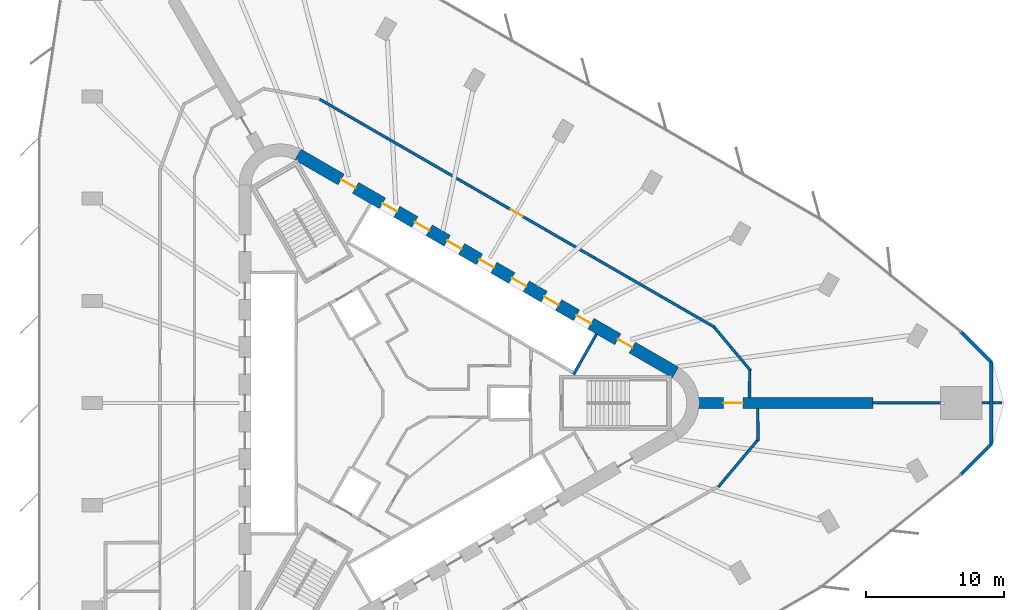
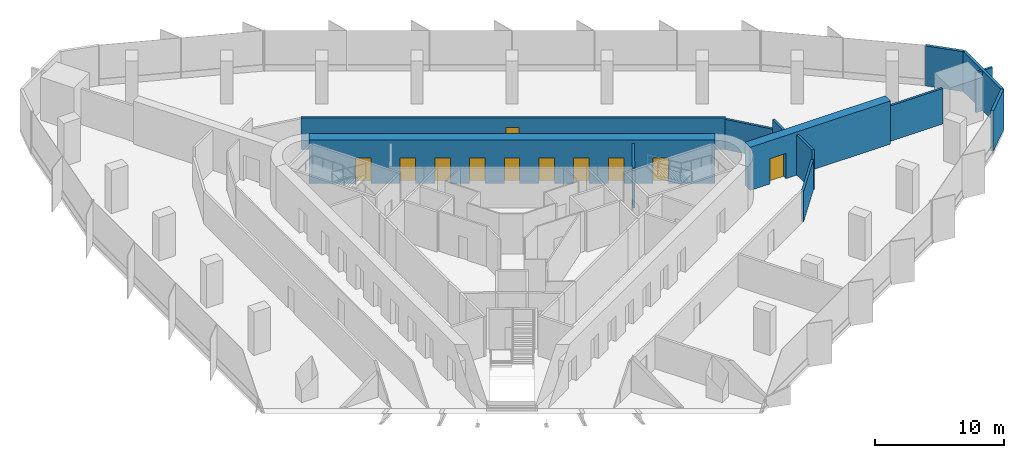
# One storey, part 13 of 15: 14 walls, 11 doors, 11 openings.
"""IFC4 building model written with IfcOpenShell, lengths in metres."""

from ifc_helpers import new_model, si_unit, direction, frame, frame_2d, origin, place, context, subcontext, project, spatial, rectangle, extrude, material, layer, layer_set, type_object, element, fill, save


model = new_model("IFC4")

# Units and contexts
model_context = context("Model", 3, precision=1e-05, world=origin(), true_north=direction((0.0, 1.0)))
body_context = subcontext(model_context, "Body", "Model", "MODEL_VIEW")
ifc_project = project(units=[si_unit("LENGTHUNIT", "METRE"), si_unit("AREAUNIT", "SQUARE_METRE"), si_unit("VOLUMEUNIT", "CUBIC_METRE"), si_unit("PLANEANGLEUNIT", "RADIAN"), si_unit("MASSUNIT", "GRAM", prefix="KILO")], contexts=[model_context])

# Site, building, storey
site_placement = place(None, origin())
site = spatial("IfcSite", under=ifc_project, at=site_placement, CompositionType="ELEMENT")
building_placement = place(site_placement, origin())
building = spatial("IfcBuilding", under=site, at=building_placement, Name="Tanit Gate Tower", CompositionType="ELEMENT")
storey_placement = place(building_placement, frame((0.0, 0.0, 131.60009765625)))
storey = spatial("IfcBuildingStorey", under=building, at=storey_placement, Name="L28", CompositionType="ELEMENT", Elevation=131.60009765625)

# Wall, opening, door
ifc_material_1 = material(Name="Concrete C60/75", Category="concrete")
ifc_layer_1 = layer(ifc_material_1, 0.800048828125)
ifc_layer_set_1 = layer_set([ifc_layer_1], Name="BUTTRESS FIN 800 C60/75")
wall_type_1 = type_object("IfcWallType", Name="BUTTRESS FIN 800 C60/75", PredefinedType="SHEAR", material=ifc_layer_set_1)
wall_1_placement = place(storey_placement, frame((21.14990234375, 0.0, 0.0), z_axis=(0.0, 0.0, 1.0), x_axis=(1.0, 0.0, 0.0)))
wall_1 = element("IfcWall", 1, at=wall_1_placement, inside=storey, type_object=wall_type_1, Name="BUTTRESS FIN", PredefinedType="SHEAR", context=body_context, shape_type="SweptSolid", body=[
    extrude(rectangle(XDim=12.59814453125, YDim=0.800048828125, at=frame_2d((6.299072265625, 0.0))), origin(), (0.0, 0.0, 1.0), 4.099853515625),
])
opening_1_placement = place(wall_1_placement, frame((1.800048828125, 0.0, 0.0)))
opening_1 = element("IfcOpeningElement", 2, at=opening_1_placement, cuts=wall_1, Name="Opening P14-S07-F-E-1", PredefinedType="OPENING", context=body_context, shape_type="SweptSolid", body=[
    extrude(rectangle(XDim=1.39990234375, YDim=2.39990234375, at=frame_2d((0.699951171875, 1.199951171875))), frame((0.0, 0.41015625, 0.0), z_axis=(0.0, -1.0, 0.0), x_axis=(1.0, 0.0, 0.0)), (0.0, 0.0, 1.0), 0.820068359375),
])
ifc_material_2 = material(Name="Timber door leaf", Category="wood")
door_type_1 = type_object("IfcDoorType", Name="INT-DOOR-FIN-PAIR-1400", OperationType="NOTDEFINED", PredefinedType="NOTDEFINED", material=ifc_material_2)
door_1_placement = place(opening_1_placement, origin())
door_1 = element("IfcDoor", 3, at=door_1_placement, inside=storey, type_object=door_type_1, Name="Door P14-S07-F-E-1", OperationType="DOUBLE_DOOR_SINGLE_SWING", OverallHeight=2.39990234375, OverallWidth=1.39990234375, PredefinedType="NOTDEFINED", context=body_context, shape_type="SweptSolid", body=[
    extrude(rectangle(XDim=1.39990234375, YDim=2.39990234375, at=frame_2d((0.699951171875, 1.199951171875))), frame((0.0, 0.02490234375, 0.0), z_axis=(0.0, -1.0, 0.0), x_axis=(1.0, 0.0, 0.0)), (0.0, 0.0, 1.0), 0.050048828125),
])
fill(opening_1, door_1)

# Wall, openings, doors
ifc_material_3 = material(Name="Concrete C60/75", Category="concrete")
ifc_layer_2 = layer(ifc_material_3, 0.89990234375)
ifc_layer_set_2 = layer_set([ifc_layer_2], Name="CORE WALL 900 C60/75")
wall_type_2 = type_object("IfcWallType", Name="CORE WALL 900 C60/75", PredefinedType="SHEAR", material=ifc_layer_set_2)
wall_2_placement = place(storey_placement, frame((19.47509765625, 2.20849609375, 0.0), z_axis=(0.0, 0.0, 1.0), x_axis=(-0.866028369851, 0.499994862586, 0.0)))
wall_2 = element("IfcWall", 4, at=wall_2_placement, inside=storey, type_object=wall_type_2, Name="CORE WALL", PredefinedType="SHEAR", context=body_context, shape_type="SweptSolid", body=[
    extrude(rectangle(XDim=31.523193359375, YDim=0.89990234375, at=frame_2d((15.76171875, 0.0))), origin(), (0.0, 0.0, 1.0), 4.099853515625),
])
opening_2_placement = place(wall_2_placement, frame((7.0615234375, 0.0, 0.0)))
opening_2 = element("IfcOpeningElement", 5, at=opening_2_placement, cuts=wall_2, Name="Opening LDLL8-S07", PredefinedType="OPENING", context=body_context, shape_type="SweptSolid", body=[
    extrude(rectangle(XDim=1.199951171875, YDim=2.39990234375, at=frame_2d((0.60009765625, 1.199951171875))), frame((0.0, 0.4599609375, 0.0), z_axis=(0.0, -1.0, 0.0), x_axis=(1.0, 0.0, 0.0)), (0.0, 0.0, 1.0), 0.919921875),
])
opening_3_placement = place(wall_2_placement, frame((9.76171875, 0.0, 0.0)))
opening_3 = element("IfcOpeningElement", 6, at=opening_3_placement, cuts=wall_2, Name="Opening LDLL9-S07", PredefinedType="OPENING", context=body_context, shape_type="SweptSolid", body=[
    extrude(rectangle(XDim=1.199951171875, YDim=2.39990234375, at=frame_2d((0.60009765625, 1.199951171875))), frame((0.0, 0.4599609375, 0.0), z_axis=(0.0, -1.0, 0.0), x_axis=(1.0, 0.0, 0.0)), (0.0, 0.0, 1.0), 0.919921875),
])
opening_4_placement = place(wall_2_placement, frame((12.461669921875, 0.0, 0.0)))
opening_4 = element("IfcOpeningElement", 7, at=opening_4_placement, cuts=wall_2, Name="Opening LDLL10-S07", PredefinedType="OPENING", context=body_context, shape_type="SweptSolid", body=[
    extrude(rectangle(XDim=1.199951171875, YDim=2.39990234375, at=frame_2d((0.60009765625, 1.199951171875))), frame((0.0, 0.4599609375, 0.0), z_axis=(0.0, -1.0, 0.0), x_axis=(1.0, 0.0, 0.0)), (0.0, 0.0, 1.0), 0.919921875),
])
opening_5_placement = place(wall_2_placement, frame((15.16162109375, 0.0, 0.0)))
opening_5 = element("IfcOpeningElement", 8, at=opening_5_placement, cuts=wall_2, Name="Opening LDSL1-S07", PredefinedType="OPENING", context=body_context, shape_type="SweptSolid", body=[
    extrude(rectangle(XDim=1.199951171875, YDim=2.39990234375, at=frame_2d((0.60009765625, 1.199951171875))), frame((0.0, 0.4599609375, 0.0), z_axis=(0.0, -1.0, 0.0), x_axis=(1.0, 0.0, 0.0)), (0.0, 0.0, 1.0), 0.919921875),
])
opening_6_placement = place(wall_2_placement, frame((17.861572265625, 0.0, 0.0)))
opening_6 = element("IfcOpeningElement", 9, at=opening_6_placement, cuts=wall_2, Name="Opening LDSL2-S07", PredefinedType="OPENING", context=body_context, shape_type="SweptSolid", body=[
    extrude(rectangle(XDim=1.199951171875, YDim=2.39990234375, at=frame_2d((0.60009765625, 1.199951171875))), frame((0.0, 0.4599609375, 0.0), z_axis=(0.0, -1.0, 0.0), x_axis=(1.0, 0.0, 0.0)), (0.0, 0.0, 1.0), 0.919921875),
])
opening_7_placement = place(wall_2_placement, frame((20.5615234375, 0.0, 0.0)))
opening_7 = element("IfcOpeningElement", 10, at=opening_7_placement, cuts=wall_2, Name="Opening LDSL3-S07", PredefinedType="OPENING", context=body_context, shape_type="SweptSolid", body=[
    extrude(rectangle(XDim=1.199951171875, YDim=2.39990234375, at=frame_2d((0.60009765625, 1.199951171875))), frame((0.0, 0.4599609375, 0.0), z_axis=(0.0, -1.0, 0.0), x_axis=(1.0, 0.0, 0.0)), (0.0, 0.0, 1.0), 0.919921875),
])
opening_8_placement = place(wall_2_placement, frame((23.26171875, 0.0, 0.0)))
opening_8 = element("IfcOpeningElement", 11, at=opening_8_placement, cuts=wall_2, Name="Opening LDSL4-S07", PredefinedType="OPENING", context=body_context, shape_type="SweptSolid", body=[
    extrude(rectangle(XDim=1.199951171875, YDim=2.39990234375, at=frame_2d((0.60009765625, 1.199951171875))), frame((0.0, 0.4599609375, 0.0), z_axis=(0.0, -1.0, 0.0), x_axis=(1.0, 0.0, 0.0)), (0.0, 0.0, 1.0), 0.919921875),
])
opening_9_placement = place(wall_2_placement, frame((3.611572265625, 0.0, 0.0)))
opening_9 = element("IfcOpeningElement", 12, at=opening_9_placement, cuts=wall_2, Name="Opening F12-S07-FL1", PredefinedType="OPENING", context=body_context, shape_type="SweptSolid", body=[
    extrude(rectangle(XDim=1.199951171875, YDim=2.39990234375, at=frame_2d((0.60009765625, 1.199951171875))), frame((0.0, 0.4599609375, 0.0), z_axis=(0.0, -1.0, 0.0), x_axis=(1.0, 0.0, 0.0)), (0.0, 0.0, 1.0), 0.919921875),
])
opening_10_placement = place(wall_2_placement, frame((26.711669921875, 0.0, 0.0)))
opening_10 = element("IfcOpeningElement", 13, at=opening_10_placement, cuts=wall_2, Name="Opening F12-S07-S2", PredefinedType="OPENING", context=body_context, shape_type="SweptSolid", body=[
    extrude(rectangle(XDim=1.199951171875, YDim=2.39990234375, at=frame_2d((0.60009765625, 1.199951171875))), frame((0.0, 0.4599609375, 0.0), z_axis=(0.0, -1.0, 0.0), x_axis=(1.0, 0.0, 0.0)), (0.0, 0.0, 1.0), 0.919921875),
])
ifc_material_4 = material(Name="Fire-rated steel door leaf", Category="steel")
door_type_2 = type_object("IfcDoorType", Name="INT-DOOR-FIRE-LOBBY-1200", OperationType="NOTDEFINED", PredefinedType="USERDEFINED", material=ifc_material_4)
door_2_placement = place(opening_9_placement, origin())
door_2 = element("IfcDoor", 14, at=door_2_placement, inside=storey, type_object=door_type_2, Name="Door F12-S07-FL1", ObjectType="FIRE DOOR", OperationType="SINGLE_SWING_RIGHT", OverallHeight=2.39990234375, OverallWidth=1.199951171875, PredefinedType="USERDEFINED", context=body_context, shape_type="SweptSolid", body=[
    extrude(rectangle(XDim=1.199951171875, YDim=2.39990234375, at=frame_2d((0.60009765625, 1.199951171875))), frame((0.0, 0.02490234375, 0.0), z_axis=(0.0, -1.0, 0.0), x_axis=(1.0, 0.0, 0.0)), (0.0, 0.0, 1.0), 0.050048828125),
])
fill(opening_9, door_2)
door_3_placement = place(opening_10_placement, origin())
door_3 = element("IfcDoor", 15, at=door_3_placement, inside=storey, type_object=door_type_2, Name="Door F12-S07-S2", ObjectType="FIRE DOOR", OperationType="SINGLE_SWING_LEFT", OverallHeight=2.39990234375, OverallWidth=1.199951171875, PredefinedType="USERDEFINED", context=body_context, shape_type="SweptSolid", body=[
    extrude(rectangle(XDim=1.199951171875, YDim=2.39990234375, at=frame_2d((0.60009765625, 1.199951171875))), frame((0.0, 0.02490234375, 0.0), z_axis=(0.0, -1.0, 0.0), x_axis=(1.0, 0.0, 0.0)), (0.0, 0.0, 1.0), 0.050048828125),
])
fill(opening_10, door_3)
ifc_material_5 = material(Name="Stainless steel sliding door leaf", Category="steel")
door_type_3 = type_object("IfcDoorType", Name="INT-DOOR-LANDING-1200", OperationType="NOTDEFINED", PredefinedType="USERDEFINED", material=ifc_material_5)
door_4_placement = place(opening_2_placement, origin())
door_4 = element("IfcDoor", 16, at=door_4_placement, inside=storey, type_object=door_type_3, Name="Door LDLL8-S07", ObjectType="LANDING DOOR", OperationType="SLIDING_TO_LEFT", OverallHeight=2.39990234375, OverallWidth=1.199951171875, PredefinedType="USERDEFINED", context=body_context, shape_type="SweptSolid", body=[
    extrude(rectangle(XDim=1.199951171875, YDim=2.39990234375, at=frame_2d((0.60009765625, 1.199951171875))), frame((0.0, 0.02490234375, 0.0), z_axis=(0.0, -1.0, 0.0), x_axis=(1.0, 0.0, 0.0)), (0.0, 0.0, 1.0), 0.050048828125),
])
fill(opening_2, door_4)
door_5_placement = place(opening_3_placement, origin())
door_5 = element("IfcDoor", 17, at=door_5_placement, inside=storey, type_object=door_type_3, Name="Door LDLL9-S07", ObjectType="LANDING DOOR", OperationType="SLIDING_TO_LEFT", OverallHeight=2.39990234375, OverallWidth=1.199951171875, PredefinedType="USERDEFINED", context=body_context, shape_type="SweptSolid", body=[
    extrude(rectangle(XDim=1.199951171875, YDim=2.39990234375, at=frame_2d((0.60009765625, 1.199951171875))), frame((0.0, 0.02490234375, 0.0), z_axis=(0.0, -1.0, 0.0), x_axis=(1.0, 0.0, 0.0)), (0.0, 0.0, 1.0), 0.050048828125),
])
fill(opening_3, door_5)
door_6_placement = place(opening_4_placement, origin())
door_6 = element("IfcDoor", 18, at=door_6_placement, inside=storey, type_object=door_type_3, Name="Door LDLL10-S07", ObjectType="LANDING DOOR", OperationType="SLIDING_TO_LEFT", OverallHeight=2.39990234375, OverallWidth=1.199951171875, PredefinedType="USERDEFINED", context=body_context, shape_type="SweptSolid", body=[
    extrude(rectangle(XDim=1.199951171875, YDim=2.39990234375, at=frame_2d((0.60009765625, 1.199951171875))), frame((0.0, 0.02490234375, 0.0), z_axis=(0.0, -1.0, 0.0), x_axis=(1.0, 0.0, 0.0)), (0.0, 0.0, 1.0), 0.050048828125),
])
fill(opening_4, door_6)
door_7_placement = place(opening_5_placement, origin())
door_7 = element("IfcDoor", 19, at=door_7_placement, inside=storey, type_object=door_type_3, Name="Door LDSL1-S07", ObjectType="LANDING DOOR", OperationType="SLIDING_TO_LEFT", OverallHeight=2.39990234375, OverallWidth=1.199951171875, PredefinedType="USERDEFINED", context=body_context, shape_type="SweptSolid", body=[
    extrude(rectangle(XDim=1.199951171875, YDim=2.39990234375, at=frame_2d((0.60009765625, 1.199951171875))), frame((0.0, 0.02490234375, 0.0), z_axis=(0.0, -1.0, 0.0), x_axis=(1.0, 0.0, 0.0)), (0.0, 0.0, 1.0), 0.050048828125),
])
fill(opening_5, door_7)
door_8_placement = place(opening_6_placement, origin())
door_8 = element("IfcDoor", 20, at=door_8_placement, inside=storey, type_object=door_type_3, Name="Door LDSL2-S07", ObjectType="LANDING DOOR", OperationType="SLIDING_TO_LEFT", OverallHeight=2.39990234375, OverallWidth=1.199951171875, PredefinedType="USERDEFINED", context=body_context, shape_type="SweptSolid", body=[
    extrude(rectangle(XDim=1.199951171875, YDim=2.39990234375, at=frame_2d((0.60009765625, 1.199951171875))), frame((0.0, 0.02490234375, 0.0), z_axis=(0.0, -1.0, 0.0), x_axis=(1.0, 0.0, 0.0)), (0.0, 0.0, 1.0), 0.050048828125),
])
fill(opening_6, door_8)
door_9_placement = place(opening_7_placement, origin())
door_9 = element("IfcDoor", 21, at=door_9_placement, inside=storey, type_object=door_type_3, Name="Door LDSL3-S07", ObjectType="LANDING DOOR", OperationType="SLIDING_TO_LEFT", OverallHeight=2.39990234375, OverallWidth=1.199951171875, PredefinedType="USERDEFINED", context=body_context, shape_type="SweptSolid", body=[
    extrude(rectangle(XDim=1.199951171875, YDim=2.39990234375, at=frame_2d((0.60009765625, 1.199951171875))), frame((0.0, 0.02490234375, 0.0), z_axis=(0.0, -1.0, 0.0), x_axis=(1.0, 0.0, 0.0)), (0.0, 0.0, 1.0), 0.050048828125),
])
fill(opening_7, door_9)
door_10_placement = place(opening_8_placement, origin())
door_10 = element("IfcDoor", 22, at=door_10_placement, inside=storey, type_object=door_type_3, Name="Door LDSL4-S07", ObjectType="LANDING DOOR", OperationType="SLIDING_TO_LEFT", OverallHeight=2.39990234375, OverallWidth=1.199951171875, PredefinedType="USERDEFINED", context=body_context, shape_type="SweptSolid", body=[
    extrude(rectangle(XDim=1.199951171875, YDim=2.39990234375, at=frame_2d((0.60009765625, 1.199951171875))), frame((0.0, 0.02490234375, 0.0), z_axis=(0.0, -1.0, 0.0), x_axis=(1.0, 0.0, 0.0)), (0.0, 0.0, 1.0), 0.050048828125),
])
fill(opening_8, door_10)

# Walls
ifc_material_6 = material(Name="Concrete C30/37 with bronze anodised aluminium cladding", Category="concrete")
ifc_layer_3 = layer(ifc_material_6, 0.239990234375)
ifc_layer_set_3 = layer_set([ifc_layer_3], Name="Facade wall bronze clad 240")
wall_type_3 = type_object("IfcWallType", Name="Facade wall bronze clad 240", PredefinedType="SOLIDWALL", material=ifc_layer_set_3)
wall_3_placement = place(storey_placement, frame((40.1201171875, -5.154052734375, 0.0), z_axis=(0.0, 0.0, 1.0), x_axis=(0.707146214964, 0.70706734521, 0.0)))
element("IfcWall", 23, at=wall_3_placement, inside=storey, type_object=wall_type_3, Name="Bronze-clad facade wall L28 E.arc1", PredefinedType="SOLIDWALL", context=body_context, shape_type="SweptSolid", body=[
    extrude(rectangle(XDim=3.095458984375, YDim=0.239990234375, at=frame_2d((1.5478515625, 0.0))), origin(), (0.0, 0.0, 1.0), 3.7998046875),
])
wall_4_placement = place(storey_placement, frame((42.30908203125, -2.96533203125, 0.0), z_axis=(0.0, 0.0, 1.0), x_axis=(0.0, 1.0, 0.0)))
element("IfcWall", 24, at=wall_4_placement, inside=storey, type_object=wall_type_3, Name="Bronze-clad facade wall L28 E.arc2", PredefinedType="SOLIDWALL", context=body_context, shape_type="SweptSolid", body=[
    extrude(rectangle(XDim=5.9306640625, YDim=0.239990234375, at=frame_2d((2.96533203125, 0.0))), origin(), (0.0, 0.0, 1.0), 3.7998046875),
])
wall_5_placement = place(storey_placement, frame((42.30908203125, 2.96533203125, 0.0), z_axis=(0.0, 0.0, 1.0), x_axis=(-0.707146214964, 0.70706734521, 0.0)))
element("IfcWall", 25, at=wall_5_placement, inside=storey, type_object=wall_type_3, Name="Bronze-clad facade wall L28 E.arc3", PredefinedType="SOLIDWALL", context=body_context, shape_type="SweptSolid", body=[
    extrude(rectangle(XDim=3.095458984375, YDim=0.239990234375, at=frame_2d((1.5478515625, 0.0))), origin(), (0.0, 0.0, 1.0), 3.7998046875),
])

# Wall, opening, door
ifc_material_7 = material(Name="Fire-rated gypsum board partition")
ifc_layer_4 = layer(ifc_material_7, 0.199951171875)
ifc_layer_set_4 = layer_set([ifc_layer_4], Name="INT-WALL-COMPARTMENT")
wall_type_4 = type_object("IfcWallType", Name="INT-WALL-COMPARTMENT", PredefinedType="PARTITIONING", material=ifc_layer_set_4)
wall_6_placement = place(storey_placement, frame((22.335693359375, 5.46435546875, 0.0), z_axis=(0.0, 0.0, 1.0), x_axis=(-0.866027503332, 0.499996363459, 0.0)))
wall_6 = element("IfcWall", 26, at=wall_6_placement, inside=storey, type_object=wall_type_4, Name="Wall Compartment W102", PredefinedType="PARTITIONING", context=body_context, shape_type="SweptSolid", body=[
    extrude(rectangle(XDim=33.022216796875, YDim=0.199951171875, at=frame_2d((16.51123046875, 0.0))), origin(), (0.0, 0.0, 1.0), 2.97998046875),
])
opening_11_placement = place(wall_6_placement, frame((16.06103515625, 0.0, 0.0)))
opening_11 = element("IfcOpeningElement", 27, at=opening_11_placement, cuts=wall_6, Name="Opening F10-S07-24", PredefinedType="OPENING", context=body_context, shape_type="SweptSolid", body=[
    extrude(rectangle(XDim=1.0, YDim=2.10009765625, at=frame_2d((0.5, 1.050048828125))), frame((0.0, 0.10986328125, 0.0), z_axis=(0.0, -1.0, 0.0), x_axis=(1.0, 0.0, 0.0)), (0.0, 0.0, 1.0), 0.219970703125),
])
ifc_material_8 = material(Name="Fire-rated steel door leaf", Category="steel")
door_type_4 = type_object("IfcDoorType", Name="INT-DOOR-FIRE-1000", OperationType="NOTDEFINED", PredefinedType="USERDEFINED", material=ifc_material_8)
door_11_placement = place(opening_11_placement, origin())
door_11 = element("IfcDoor", 28, at=door_11_placement, inside=storey, type_object=door_type_4, Name="Door F10-S07-24", ObjectType="FIRE DOOR", OperationType="SINGLE_SWING_RIGHT", OverallHeight=2.10009765625, OverallWidth=1.0, PredefinedType="USERDEFINED", context=body_context, shape_type="SweptSolid", body=[
    extrude(rectangle(XDim=1.0, YDim=2.10009765625, at=frame_2d((0.5, 1.050048828125))), frame((0.0, 0.02490234375, 0.0), z_axis=(0.0, -1.0, 0.0), x_axis=(1.0, 0.0, 0.0)), (0.0, 0.0, 1.0), 0.050048828125),
])
fill(opening_11, door_11)

# Walls
wall_7_placement = place(storey_placement, frame((24.9208984375, 2.330078125, 0.0), z_axis=(0.0, 0.0, 1.0), x_axis=(-0.642791169301, 0.766041456234, 0.0)))
element("IfcWall", 29, at=wall_7_placement, inside=storey, type_object=wall_type_4, Name="Wall Compartment W103", PredefinedType="PARTITIONING", context=body_context, shape_type="SweptSolid", body=[
    extrude(rectangle(XDim=4.056884765625, YDim=0.199951171875, at=frame_2d((2.0283203125, 0.0))), origin(), (0.0, 0.0, 1.0), 2.8798828125),
])
wall_8_placement = place(storey_placement, frame((24.8212890625, 0.39990234375, 0.0), z_axis=(0.0, 0.0, 1.0), x_axis=(0.01239062247, 0.999923233291, 0.0)))
element("IfcWall", 30, at=wall_8_placement, inside=storey, type_object=wall_type_4, Name="Wall Compartment W104", PredefinedType="PARTITIONING", context=body_context, shape_type="SweptSolid", body=[
    extrude(rectangle(XDim=1.970458984375, YDim=0.199951171875, at=frame_2d((0.9853515625, 0.0))), origin(), (0.0, 0.0, 1.0), 3.7998046875),
])
wall_9_placement = place(storey_placement, frame((25.447509765625, -2.75390625, 0.0), z_axis=(0.0, 0.0, 1.0), x_axis=(-0.011407679147, 0.999934930311, 0.0)))
element("IfcWall", 31, at=wall_9_placement, inside=storey, type_object=wall_type_4, Name="Wall Compartment W105", PredefinedType="PARTITIONING", context=body_context, shape_type="SweptSolid", body=[
    extrude(rectangle(XDim=2.354248046875, YDim=0.199951171875, at=frame_2d((1.17724609375, 0.0))), origin(), (0.0, 0.0, 1.0), 3.7998046875),
])
wall_10_placement = place(storey_placement, frame((22.576416015625, -6.0576171875, 0.0), z_axis=(0.0, 0.0, 1.0), x_axis=(0.642769295272, 0.766059810364, 0.0)))
element("IfcWall", 32, at=wall_10_placement, inside=storey, type_object=wall_type_4, Name="Wall Compartment W106", PredefinedType="PARTITIONING", context=body_context, shape_type="SweptSolid", body=[
    extrude(rectangle(XDim=4.415771484375, YDim=0.199951171875, at=frame_2d((2.2080078125, 0.0))), origin(), (0.0, 0.0, 1.0), 2.8798828125),
])
wall_11_placement = place(storey_placement, frame((33.748046875, 0.018798828125, 0.0), z_axis=(0.0, 0.0, 1.0), x_axis=(0.999997351569, 0.002301489877, 0.0)))
element("IfcWall", 33, at=wall_11_placement, inside=storey, type_object=wall_type_4, Name="Wall Compartment W127", PredefinedType="PARTITIONING", context=body_context, shape_type="SweptSolid", body=[
    extrude(rectangle(XDim=4.879638671875, YDim=0.199951171875, at=frame_2d((2.43994140625, 0.0))), origin(), (0.0, 0.0, 1.0), 3.369873046875),
])
wall_12_placement = place(storey_placement, frame((41.627685546875, 0.030029296875, 0.0), z_axis=(0.0, 0.0, 1.0), x_axis=(1.0, 0.0, 0.0)))
element("IfcWall", 34, at=wall_12_placement, inside=storey, type_object=wall_type_4, Name="Wall Compartment W128", PredefinedType="PARTITIONING", context=body_context, shape_type="SweptSolid", body=[
    extrude(rectangle(XDim=0.561279296875, YDim=0.199951171875, at=frame_2d((0.28076171875, 0.0))), origin(), (0.0, 0.0, 1.0), 3.7998046875),
])
wall_13_placement = place(storey_placement, frame((42.428955078125, 0.030029296875, 0.0), z_axis=(0.0, 0.0, 1.0), x_axis=(1.0, 0.0, 0.0)))
element("IfcWall", 35, at=wall_13_placement, inside=storey, type_object=wall_type_4, Name="Wall Compartment W128x1", PredefinedType="PARTITIONING", context=body_context, shape_type="SweptSolid", body=[
    extrude(rectangle(XDim=0.66650390625, YDim=0.199951171875, at=frame_2d((0.333251953125, 0.0))), origin(), (0.0, 0.0, 1.0), 3.7998046875),
])
ifc_material_9 = material(Name="Gypsum shaft wall system")
ifc_layer_5 = layer(ifc_material_9, 0.199951171875)
ifc_layer_set_5 = layer_set([ifc_layer_5], Name="INT-WALL-SHAFT")
wall_type_5 = type_object("IfcWallType", Name="INT-WALL-SHAFT", PredefinedType="PLUMBINGWALL", material=ifc_layer_set_5)
wall_14_placement = place(storey_placement, frame((12.10986328125, 2.07275390625, 0.0), z_axis=(0.0, 0.0, 1.0), x_axis=(0.49196600604, 0.870614408852, 0.0)))
element("IfcWall", 36, at=wall_14_placement, inside=storey, type_object=wall_type_5, Name="Wall Shaft W013", PredefinedType="PLUMBINGWALL", context=body_context, shape_type="SweptSolid", body=[
    extrude(rectangle(XDim=3.35009765625, YDim=0.199951171875, at=frame_2d((1.675048828125, 0.0))), origin(), (0.0, 0.0, 1.0), 3.7998046875),
])

save(model, "model.ifc")
